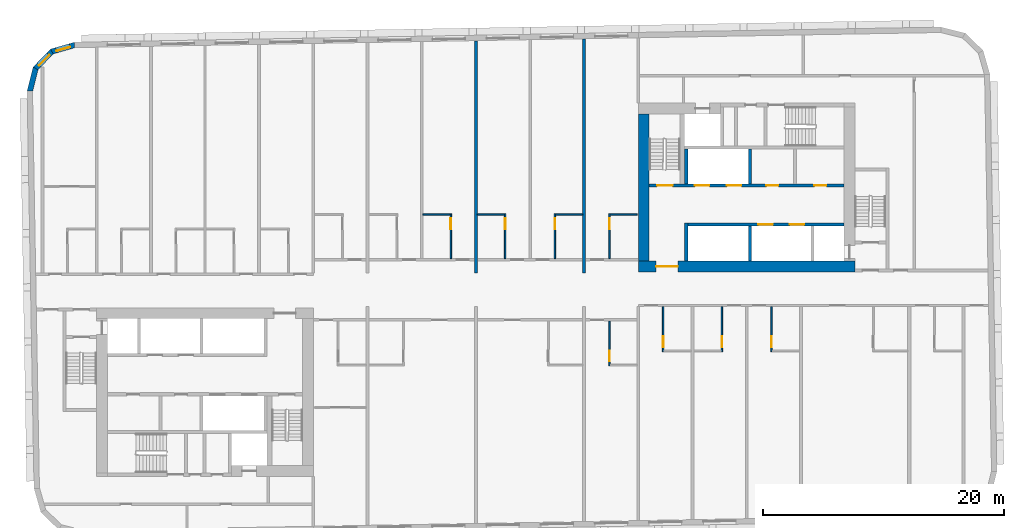
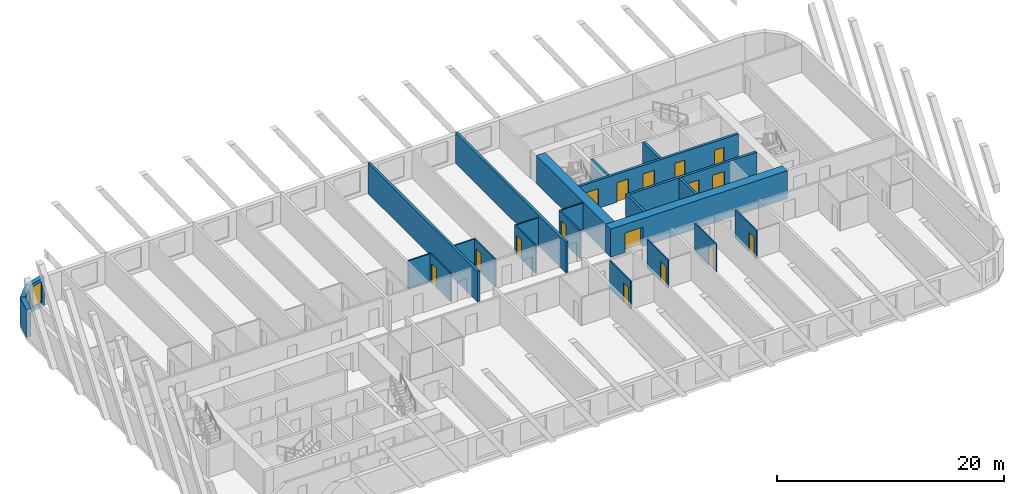
# One storey, part 5 of 13: 25 walls, 16 doors, 2 windows, 18 openings.
"""IFC4 building model written with IfcOpenShell, lengths in metres."""

from ifc_helpers import new_model, si_unit, direction, frame, frame_2d, origin, place, context, subcontext, project, spatial, polyline, rectangle, outline, extrude, material, layer, layer_set, type_object, element, fill, save


model = new_model("IFC4")

# Units and contexts
model_context = context("Model", 3, precision=1e-05, world=origin(), true_north=direction((0.0, 1.0)))
body_context = subcontext(model_context, "Body", "Model", "MODEL_VIEW")
ifc_project = project(units=[si_unit("LENGTHUNIT", "METRE"), si_unit("AREAUNIT", "SQUARE_METRE"), si_unit("VOLUMEUNIT", "CUBIC_METRE"), si_unit("PLANEANGLEUNIT", "RADIAN"), si_unit("MASSUNIT", "GRAM", prefix="KILO")], contexts=[model_context])

# Site, building, storey
site_placement = place(None, origin())
site = spatial("IfcSite", under=ifc_project, at=site_placement, CompositionType="ELEMENT")
building_placement = place(site_placement, origin())
building = spatial("IfcBuilding", under=site, at=building_placement, Name="Kajstack Hotel Tower", CompositionType="ELEMENT")
storey_placement = place(building_placement, frame((0.0, 0.0, 237.5)))
storey = spatial("IfcBuildingStorey", under=building, at=storey_placement, Name="L58", CompositionType="ELEMENT", Elevation=237.5)

# Wall, opening, door
ifc_material_1 = material(Name="Concrete C60/75", Category="concrete")
ifc_layer_1 = layer(ifc_material_1, 0.89990234375)
ifc_layer_set_1 = layer_set([ifc_layer_1], Name="Core wall 900")
wall_type_1 = type_object("IfcWallType", Name="Core wall 900", PredefinedType="SHEAR", material=ifc_layer_set_1)
wall_1_placement = place(storey_placement, frame((13.5, 1.949951171875, 0.0), z_axis=(0.0, 0.0, 1.0), x_axis=(1.0, 0.0, 0.0)))
wall_1 = element("IfcWall", 1, at=wall_1_placement, inside=storey, type_object=wall_type_1, Name="Core wall E RN", PredefinedType="SHEAR", context=body_context, shape_type="SweptSolid", body=[
    extrude(rectangle(XDim=18.0, YDim=0.89990234375, at=frame_2d((9.0, 0.0))), origin(), (0.0, 0.0, 1.0), 3.02001953125),
])
opening_1_placement = place(wall_1_placement, frame((1.47509765625, 0.0, 0.0)))
opening_1 = element("IfcOpeningElement", 2, at=opening_1_placement, cuts=wall_1, Name="Opening 58E07", PredefinedType="OPENING", context=body_context, shape_type="SweptSolid", body=[
    extrude(rectangle(XDim=1.800048828125, YDim=2.10009765625, at=frame_2d((0.89990234375, 1.050048828125))), frame((0.0, 0.4599609375, 0.0), z_axis=(0.0, -1.0, 0.0), x_axis=(1.0, 0.0, 0.0)), (0.0, 0.0, 1.0), 0.919921875),
])
ifc_material_2 = material(Name="Glazed steel frame, fire-rated glass", Category="steel")
door_type_1 = type_object("IfcDoorType", Name="Lobby double door 1800", OperationType="DOUBLE_DOOR_DOUBLE_SWING", PredefinedType="DOOR", material=ifc_material_2)
door_1_placement = place(opening_1_placement, origin())
door_1 = element("IfcDoor", 3, at=door_1_placement, inside=storey, type_object=door_type_1, Name="Door 58E07", OperationType="DOUBLE_DOOR_DOUBLE_SWING", OverallHeight=2.10009765625, OverallWidth=1.800048828125, PredefinedType="DOOR", context=body_context, shape_type="SweptSolid", body=[
    extrude(rectangle(XDim=1.800048828125, YDim=2.10009765625, at=frame_2d((0.89990234375, 1.050048828125))), frame((0.0, 0.02490234375, 0.0), z_axis=(0.0, -1.0, 0.0), x_axis=(1.0, 0.0, 0.0)), (0.0, 0.0, 1.0), 0.050048828125),
])
fill(opening_1, door_1)

# Wall
wall_2_placement = place(storey_placement, frame((13.949951171875, 2.39990234375, 0.0), z_axis=(0.0, 0.0, 1.0), x_axis=(0.0, 1.0, 0.0)))
element("IfcWall", 4, at=wall_2_placement, inside=storey, type_object=wall_type_1, Name="Core wall E RE", PredefinedType="SHEAR", context=body_context, shape_type="SweptSolid", body=[
    extrude(rectangle(XDim=12.2001953125, YDim=0.89990234375, at=frame_2d((6.10009765625, 0.0))), origin(), (0.0, 0.0, 1.0), 3.02001953125),
])

# Wall, opening, window
ifc_material_3 = material(Name="Terracotta-faced brick masonry", Category="masonry")
ifc_layer_2 = layer(ifc_material_3, 0.449951171875)
ifc_layer_set_2 = layer_set([ifc_layer_2], Name="EW-TERRA")
wall_type_2 = type_object("IfcWallType", Name="EW-TERRA", PredefinedType="SOLIDWALL", material=ifc_layer_set_2)
wall_3_placement = place(storey_placement, frame((-33.290283203125, 20.352294921875, 0.0), z_axis=(0.0, 0.0, 1.0), x_axis=(-0.961247584925, -0.275686562016, 0.0)))
wall_3 = element("IfcWall", 5, at=wall_3_placement, inside=storey, type_object=wall_type_2, Name="E-wall-L58-13-00", PredefinedType="SOLIDWALL", context=body_context, shape_type="SweptSolid", body=[
    extrude(outline(polyline([(0.0, -0.22509765625), (2.070556640625, -0.22509765625), (1.949951171875, 0.224853515625), (0.12060546875, 0.224853515625), (0.0, -0.22509765625)])), origin(), (0.0, 0.0, 1.0), 3.02001953125),
])
opening_2_placement = place(wall_3_placement, frame((0.435302734375, 0.0, 0.449951171875)))
opening_2 = element("IfcOpeningElement", 6, at=opening_2_placement, cuts=wall_3, Name="Opening W3", PredefinedType="OPENING", context=body_context, shape_type="SweptSolid", body=[
    extrude(rectangle(XDim=1.199951171875, YDim=2.25, at=frame_2d((0.60009765625, 1.125))), frame((0.0, 0.23486328125, 0.0), z_axis=(0.0, -1.0, 0.0), x_axis=(1.0, 0.0, 0.0)), (0.0, 0.0, 1.0), 0.469970703125),
])
ifc_material_4 = material(Name="Timber-aluminium window, triple glazed", Category="wood")
window_type = type_object("IfcWindowType", Name="WG3", PartitioningType="SINGLE_PANEL", PredefinedType="WINDOW", material=ifc_material_4)
window_1_placement = place(opening_2_placement, origin())
window_1 = element("IfcWindow", 7, at=window_1_placement, inside=storey, type_object=window_type, Name="Window W3 L58-13", OverallHeight=2.25, OverallWidth=1.199951171875, PartitioningType="SINGLE_PANEL", PredefinedType="WINDOW", context=body_context, shape_type="SweptSolid", body=[
    extrude(rectangle(XDim=1.199951171875, YDim=2.25, at=frame_2d((0.60009765625, 1.125))), frame((0.0, 0.090087890625, 0.0), z_axis=(0.0, -1.0, 0.0), x_axis=(1.0, 0.0, 0.0)), (0.0, 0.0, 1.0), 0.06005859375),
])
fill(opening_2, window_1)

wall_4_placement = place(storey_placement, frame((-35.1806640625, 19.841552734375, 0.0), z_axis=(0.0, 0.0, 1.0), x_axis=(-0.694678672846, -0.719320193998, 0.0)))
wall_4 = element("IfcWall", 8, at=wall_4_placement, inside=storey, type_object=wall_type_2, Name="E-wall-L58-14-00", PredefinedType="SOLIDWALL", context=body_context, shape_type="SweptSolid", body=[
    extrude(outline(polyline([(0.0, -0.22509765625), (2.07080078125, -0.22509765625), (1.9501953125, 0.224853515625), (0.12060546875, 0.224853515625), (0.0, -0.22509765625)])), origin(), (0.0, 0.0, 1.0), 3.02001953125),
])
opening_3_placement = place(wall_4_placement, frame((0.435302734375, 0.0, 0.449951171875)))
opening_3 = element("IfcOpeningElement", 9, at=opening_3_placement, cuts=wall_4, Name="Opening W3", PredefinedType="OPENING", context=body_context, shape_type="SweptSolid", body=[
    extrude(rectangle(XDim=1.199951171875, YDim=2.25, at=frame_2d((0.60009765625, 1.125))), frame((0.0, 0.23486328125, 0.0), z_axis=(0.0, -1.0, 0.0), x_axis=(1.0, 0.0, 0.0)), (0.0, 0.0, 1.0), 0.469970703125),
])
window_2_placement = place(opening_3_placement, origin())
window_2 = element("IfcWindow", 10, at=window_2_placement, inside=storey, type_object=window_type, Name="Window W3 L58-14", OverallHeight=2.25, OverallWidth=1.199951171875, PartitioningType="SINGLE_PANEL", PredefinedType="WINDOW", context=body_context, shape_type="SweptSolid", body=[
    extrude(rectangle(XDim=1.199951171875, YDim=2.25, at=frame_2d((0.60009765625, 1.125))), frame((0.0, 0.090087890625, 0.0), z_axis=(0.0, -1.0, 0.0), x_axis=(1.0, 0.0, 0.0)), (0.0, 0.0, 1.0), 0.06005859375),
])
fill(opening_3, window_2)

# Wall
wall_5_placement = place(storey_placement, frame((-36.562744140625, 18.453857421875, 0.0), z_axis=(0.0, 0.0, 1.0), x_axis=(-0.241869623482, -0.970308757683, 0.0)))
element("IfcWall", 11, at=wall_5_placement, inside=storey, type_object=wall_type_2, Name="E-wall-L58-15-00", PredefinedType="SOLIDWALL", context=body_context, shape_type="SweptSolid", body=[
    extrude(outline(polyline([(-0.000244140625, -0.224853515625), (2.0703125, -0.22509765625), (1.94970703125, 0.224853515625), (0.120361328125, 0.22509765625), (-0.000244140625, -0.224853515625)])), origin(), (0.0, 0.0, 1.0), 3.02001953125),
])

# Wall, opening, door
ifc_material_5 = material(Name="Gypsum board and tiled backer on steel studs", Category="steel")
ifc_layer_3 = layer(ifc_material_5, 0.125)
ifc_layer_set_3 = layer_set([ifc_layer_3], Name="En-suite wall 125")
wall_type_3 = type_object("IfcWallType", Name="En-suite wall 125", PredefinedType="PARTITIONING", material=ifc_layer_set_3)
wall_6_placement = place(storey_placement, frame((-2.0869140625, 2.60009765625, 0.0), z_axis=(0.0, 0.0, 1.0), x_axis=(0.0, 1.0, 0.0)))
wall_6 = element("IfcWall", 12, at=wall_6_placement, inside=storey, type_object=wall_type_3, Name="G-wall-L58-024", PredefinedType="PARTITIONING", context=body_context, shape_type="SweptSolid", body=[
    extrude(rectangle(XDim=3.724853515625, YDim=0.125, at=frame_2d((1.8623046875, 0.0))), origin(), (0.0, 0.0, 1.0), 3.02001953125),
])
opening_4_placement = place(wall_6_placement, frame((2.449951171875, 0.0, 0.0)))
opening_4 = element("IfcOpeningElement", 13, at=opening_4_placement, cuts=wall_6, Name="Opening 58017", PredefinedType="OPENING", context=body_context, shape_type="SweptSolid", body=[
    extrude(rectangle(XDim=0.89990234375, YDim=2.10009765625, at=frame_2d((0.449951171875, 1.050048828125))), frame((0.0, 0.072509765625, 0.0), z_axis=(0.0, -1.0, 0.0), x_axis=(1.0, 0.0, 0.0)), (0.0, 0.0, 1.0), 0.14501953125),
])
ifc_material_6 = material(Name="Painted timber door leaf", Category="wood")
door_type_2 = type_object("IfcDoorType", Name="Room door 900", OperationType="SINGLE_SWING_LEFT", PredefinedType="DOOR", material=ifc_material_6)
door_2_placement = place(opening_4_placement, origin())
door_2 = element("IfcDoor", 14, at=door_2_placement, inside=storey, type_object=door_type_2, Name="G-door-L58-17", OperationType="SINGLE_SWING_RIGHT", OverallHeight=2.10009765625, OverallWidth=0.89990234375, PredefinedType="DOOR", context=body_context, shape_type="SweptSolid", body=[
    extrude(rectangle(XDim=0.89990234375, YDim=2.10009765625, at=frame_2d((0.449951171875, 1.050048828125))), frame((0.0, 0.02490234375, 0.0), z_axis=(0.0, -1.0, 0.0), x_axis=(1.0, 0.0, 0.0)), (0.0, 0.0, 1.0), 0.050048828125),
])
fill(opening_4, door_2)

# Wall
wall_7_placement = place(storey_placement, frame((-4.39990234375, 6.262939453125, 0.0), z_axis=(0.0, 0.0, 1.0), x_axis=(1.0, 0.0, 0.0)))
element("IfcWall", 15, at=wall_7_placement, inside=storey, type_object=wall_type_3, Name="G-wall-L58-025", PredefinedType="PARTITIONING", context=body_context, shape_type="SweptSolid", body=[
    extrude(rectangle(XDim=2.25, YDim=0.125, at=frame_2d((1.125, 0.0))), origin(), (0.0, 0.0, 1.0), 3.02001953125),
])

# Wall, opening, door
wall_8_placement = place(storey_placement, frame((2.43798828125, 2.60009765625, 0.0), z_axis=(0.0, 0.0, 1.0), x_axis=(0.0, 1.0, 0.0)))
wall_8 = element("IfcWall", 16, at=wall_8_placement, inside=storey, type_object=wall_type_3, Name="G-wall-L58-027", PredefinedType="PARTITIONING", context=body_context, shape_type="SweptSolid", body=[
    extrude(rectangle(XDim=3.724853515625, YDim=0.125, at=frame_2d((1.8623046875, 0.0))), origin(), (0.0, 0.0, 1.0), 3.02001953125),
])
opening_5_placement = place(wall_8_placement, frame((2.449951171875, 0.0, 0.0)))
opening_5 = element("IfcOpeningElement", 17, at=opening_5_placement, cuts=wall_8, Name="Opening 58019", PredefinedType="OPENING", context=body_context, shape_type="SweptSolid", body=[
    extrude(rectangle(XDim=0.89990234375, YDim=2.10009765625, at=frame_2d((0.449951171875, 1.050048828125))), frame((0.0, 0.072509765625, 0.0), z_axis=(0.0, -1.0, 0.0), x_axis=(1.0, 0.0, 0.0)), (0.0, 0.0, 1.0), 0.14501953125),
])
door_3_placement = place(opening_5_placement, origin())
door_3 = element("IfcDoor", 18, at=door_3_placement, inside=storey, type_object=door_type_2, Name="G-door-L58-19", OperationType="SINGLE_SWING_RIGHT", OverallHeight=2.10009765625, OverallWidth=0.89990234375, PredefinedType="DOOR", context=body_context, shape_type="SweptSolid", body=[
    extrude(rectangle(XDim=0.89990234375, YDim=2.10009765625, at=frame_2d((0.449951171875, 1.050048828125))), frame((0.0, 0.02490234375, 0.0), z_axis=(0.0, -1.0, 0.0), x_axis=(1.0, 0.0, 0.0)), (0.0, 0.0, 1.0), 0.050048828125),
])
fill(opening_5, door_3)

# Wall
wall_9_placement = place(storey_placement, frame((0.125, 6.262939453125, 0.0), z_axis=(0.0, 0.0, 1.0), x_axis=(1.0, 0.0, 0.0)))
element("IfcWall", 19, at=wall_9_placement, inside=storey, type_object=wall_type_3, Name="G-wall-L58-028", PredefinedType="PARTITIONING", context=body_context, shape_type="SweptSolid", body=[
    extrude(rectangle(XDim=2.25, YDim=0.125, at=frame_2d((1.125, 0.0))), origin(), (0.0, 0.0, 1.0), 3.02001953125),
])

# Wall, opening, door
wall_10_placement = place(storey_placement, frame((6.56201171875, 2.60009765625, 0.0), z_axis=(0.0, 0.0, 1.0), x_axis=(0.0, 1.0, 0.0)))
wall_10 = element("IfcWall", 20, at=wall_10_placement, inside=storey, type_object=wall_type_3, Name="G-wall-L58-029", PredefinedType="PARTITIONING", context=body_context, shape_type="SweptSolid", body=[
    extrude(rectangle(XDim=3.724853515625, YDim=0.125, at=frame_2d((1.8623046875, 0.0))), origin(), (0.0, 0.0, 1.0), 3.02001953125),
])
opening_6_placement = place(wall_10_placement, frame((2.449951171875, 0.0, 0.0)))
opening_6 = element("IfcOpeningElement", 21, at=opening_6_placement, cuts=wall_10, Name="Opening 58021", PredefinedType="OPENING", context=body_context, shape_type="SweptSolid", body=[
    extrude(rectangle(XDim=0.89990234375, YDim=2.10009765625, at=frame_2d((0.449951171875, 1.050048828125))), frame((0.0, 0.072509765625, 0.0), z_axis=(0.0, -1.0, 0.0), x_axis=(1.0, 0.0, 0.0)), (0.0, 0.0, 1.0), 0.14501953125),
])
door_4_placement = place(opening_6_placement, origin())
door_4 = element("IfcDoor", 22, at=door_4_placement, inside=storey, type_object=door_type_2, Name="G-door-L58-21", OperationType="SINGLE_SWING_RIGHT", OverallHeight=2.10009765625, OverallWidth=0.89990234375, PredefinedType="DOOR", context=body_context, shape_type="SweptSolid", body=[
    extrude(rectangle(XDim=0.89990234375, YDim=2.10009765625, at=frame_2d((0.449951171875, 1.050048828125))), frame((0.0, 0.02490234375, 0.0), z_axis=(0.0, -1.0, 0.0), x_axis=(1.0, 0.0, 0.0)), (0.0, 0.0, 1.0), 0.050048828125),
])
fill(opening_6, door_4)

# Wall
wall_11_placement = place(storey_placement, frame((6.625, 6.262939453125, 0.0), z_axis=(0.0, 0.0, 1.0), x_axis=(1.0, 0.0, 0.0)))
element("IfcWall", 23, at=wall_11_placement, inside=storey, type_object=wall_type_3, Name="G-wall-L58-030", PredefinedType="PARTITIONING", context=body_context, shape_type="SweptSolid", body=[
    extrude(rectangle(XDim=2.25, YDim=0.125, at=frame_2d((1.125, 0.0))), origin(), (0.0, 0.0, 1.0), 3.02001953125),
])

# Wall, opening, door
wall_12_placement = place(storey_placement, frame((11.087890625, 2.60009765625, 0.0), z_axis=(0.0, 0.0, 1.0), x_axis=(0.0, 1.0, 0.0)))
wall_12 = element("IfcWall", 24, at=wall_12_placement, inside=storey, type_object=wall_type_3, Name="G-wall-L58-031", PredefinedType="PARTITIONING", context=body_context, shape_type="SweptSolid", body=[
    extrude(rectangle(XDim=3.724853515625, YDim=0.125, at=frame_2d((1.8623046875, 0.0))), origin(), (0.0, 0.0, 1.0), 3.02001953125),
])
opening_7_placement = place(wall_12_placement, frame((2.449951171875, 0.0, 0.0)))
opening_7 = element("IfcOpeningElement", 25, at=opening_7_placement, cuts=wall_12, Name="Opening 58023", PredefinedType="OPENING", context=body_context, shape_type="SweptSolid", body=[
    extrude(rectangle(XDim=0.89990234375, YDim=2.10009765625, at=frame_2d((0.449951171875, 1.050048828125))), frame((0.0, 0.072509765625, 0.0), z_axis=(0.0, -1.0, 0.0), x_axis=(1.0, 0.0, 0.0)), (0.0, 0.0, 1.0), 0.14501953125),
])
door_5_placement = place(opening_7_placement, origin())
door_5 = element("IfcDoor", 26, at=door_5_placement, inside=storey, type_object=door_type_2, Name="G-door-L58-23", OperationType="SINGLE_SWING_RIGHT", OverallHeight=2.10009765625, OverallWidth=0.89990234375, PredefinedType="DOOR", context=body_context, shape_type="SweptSolid", body=[
    extrude(rectangle(XDim=0.89990234375, YDim=2.10009765625, at=frame_2d((0.449951171875, 1.050048828125))), frame((0.0, 0.02490234375, 0.0), z_axis=(0.0, -1.0, 0.0), x_axis=(1.0, 0.0, 0.0)), (0.0, 0.0, 1.0), 0.050048828125),
])
fill(opening_7, door_5)

# Wall
wall_13_placement = place(storey_placement, frame((11.14990234375, 6.262939453125, 0.0), z_axis=(0.0, 0.0, 1.0), x_axis=(1.0, 0.0, 0.0)))
element("IfcWall", 27, at=wall_13_placement, inside=storey, type_object=wall_type_3, Name="G-wall-L58-032", PredefinedType="PARTITIONING", context=body_context, shape_type="SweptSolid", body=[
    extrude(rectangle(XDim=2.25, YDim=0.125, at=frame_2d((1.125, 0.0))), origin(), (0.0, 0.0, 1.0), 3.02001953125),
])

# Wall, opening, door
wall_14_placement = place(storey_placement, frame((11.087890625, -6.324951171875, 0.0), z_axis=(0.0, 0.0, 1.0), x_axis=(0.0, 1.0, 0.0)))
wall_14 = element("IfcWall", 28, at=wall_14_placement, inside=storey, type_object=wall_type_3, Name="G-wall-L58-043", PredefinedType="PARTITIONING", context=body_context, shape_type="SweptSolid", body=[
    extrude(rectangle(XDim=3.724853515625, YDim=0.125, at=frame_2d((1.8623046875, 0.0))), origin(), (0.0, 0.0, 1.0), 3.02001953125),
])
opening_8_placement = place(wall_14_placement, frame((0.375, 0.0, 0.0)))
opening_8 = element("IfcOpeningElement", 29, at=opening_8_placement, cuts=wall_14, Name="Opening 58032", PredefinedType="OPENING", context=body_context, shape_type="SweptSolid", body=[
    extrude(rectangle(XDim=0.89990234375, YDim=2.10009765625, at=frame_2d((0.449951171875, 1.050048828125))), frame((0.0, 0.072509765625, 0.0), z_axis=(0.0, -1.0, 0.0), x_axis=(1.0, 0.0, 0.0)), (0.0, 0.0, 1.0), 0.14501953125),
])
door_6_placement = place(opening_8_placement, origin())
door_6 = element("IfcDoor", 30, at=door_6_placement, inside=storey, type_object=door_type_2, Name="G-door-L58-32", OperationType="SINGLE_SWING_RIGHT", OverallHeight=2.10009765625, OverallWidth=0.89990234375, PredefinedType="DOOR", context=body_context, shape_type="SweptSolid", body=[
    extrude(rectangle(XDim=0.89990234375, YDim=2.10009765625, at=frame_2d((0.449951171875, 1.050048828125))), frame((0.0, 0.02490234375, 0.0), z_axis=(0.0, -1.0, 0.0), x_axis=(1.0, 0.0, 0.0)), (0.0, 0.0, 1.0), 0.050048828125),
])
fill(opening_8, door_6)

wall_15_placement = place(storey_placement, frame((15.56201171875, -5.125, 0.0), z_axis=(0.0, 0.0, 1.0), x_axis=(0.0, 1.0, 0.0)))
wall_15 = element("IfcWall", 31, at=wall_15_placement, inside=storey, type_object=wall_type_3, Name="G-wall-L58-045", PredefinedType="PARTITIONING", context=body_context, shape_type="SweptSolid", body=[
    extrude(rectangle(XDim=3.72509765625, YDim=0.125, at=frame_2d((1.862548828125, 0.0))), origin(), (0.0, 0.0, 1.0), 3.02001953125),
])
opening_9_placement = place(wall_15_placement, frame((0.375, 0.0, 0.0)))
opening_9 = element("IfcOpeningElement", 32, at=opening_9_placement, cuts=wall_15, Name="Opening 58034", PredefinedType="OPENING", context=body_context, shape_type="SweptSolid", body=[
    extrude(rectangle(XDim=0.89990234375, YDim=2.10009765625, at=frame_2d((0.449951171875, 1.050048828125))), frame((0.0, 0.072509765625, 0.0), z_axis=(0.0, -1.0, 0.0), x_axis=(1.0, 0.0, 0.0)), (0.0, 0.0, 1.0), 0.14501953125),
])
door_7_placement = place(opening_9_placement, origin())
door_7 = element("IfcDoor", 33, at=door_7_placement, inside=storey, type_object=door_type_2, Name="G-door-L58-34", OperationType="SINGLE_SWING_RIGHT", OverallHeight=2.10009765625, OverallWidth=0.89990234375, PredefinedType="DOOR", context=body_context, shape_type="SweptSolid", body=[
    extrude(rectangle(XDim=0.89990234375, YDim=2.10009765625, at=frame_2d((0.449951171875, 1.050048828125))), frame((0.0, 0.02490234375, 0.0), z_axis=(0.0, -1.0, 0.0), x_axis=(1.0, 0.0, 0.0)), (0.0, 0.0, 1.0), 0.050048828125),
])
fill(opening_9, door_7)

wall_16_placement = place(storey_placement, frame((20.43798828125, -5.125, 0.0), z_axis=(0.0, 0.0, 1.0), x_axis=(0.0, 1.0, 0.0)))
wall_16 = element("IfcWall", 34, at=wall_16_placement, inside=storey, type_object=wall_type_3, Name="G-wall-L58-048", PredefinedType="PARTITIONING", context=body_context, shape_type="SweptSolid", body=[
    extrude(rectangle(XDim=3.72509765625, YDim=0.125, at=frame_2d((1.862548828125, 0.0))), origin(), (0.0, 0.0, 1.0), 3.02001953125),
])
opening_10_placement = place(wall_16_placement, frame((0.375, 0.0, 0.0)))
opening_10 = element("IfcOpeningElement", 35, at=opening_10_placement, cuts=wall_16, Name="Opening 58036", PredefinedType="OPENING", context=body_context, shape_type="SweptSolid", body=[
    extrude(rectangle(XDim=0.89990234375, YDim=2.10009765625, at=frame_2d((0.449951171875, 1.050048828125))), frame((0.0, 0.072509765625, 0.0), z_axis=(0.0, -1.0, 0.0), x_axis=(1.0, 0.0, 0.0)), (0.0, 0.0, 1.0), 0.14501953125),
])
door_8_placement = place(opening_10_placement, origin())
door_8 = element("IfcDoor", 36, at=door_8_placement, inside=storey, type_object=door_type_2, Name="G-door-L58-36", OperationType="SINGLE_SWING_LEFT", OverallHeight=2.10009765625, OverallWidth=0.89990234375, PredefinedType="DOOR", context=body_context, shape_type="SweptSolid", body=[
    extrude(rectangle(XDim=0.89990234375, YDim=2.10009765625, at=frame_2d((0.449951171875, 1.050048828125))), frame((0.0, 0.02490234375, 0.0), z_axis=(0.0, -1.0, 0.0), x_axis=(1.0, 0.0, 0.0)), (0.0, 0.0, 1.0), 0.050048828125),
])
fill(opening_10, door_8)

wall_17_placement = place(storey_placement, frame((24.56201171875, -5.125, 0.0), z_axis=(0.0, 0.0, 1.0), x_axis=(0.0, 1.0, 0.0)))
wall_17 = element("IfcWall", 37, at=wall_17_placement, inside=storey, type_object=wall_type_3, Name="G-wall-L58-050", PredefinedType="PARTITIONING", context=body_context, shape_type="SweptSolid", body=[
    extrude(rectangle(XDim=3.72509765625, YDim=0.125, at=frame_2d((1.862548828125, 0.0))), origin(), (0.0, 0.0, 1.0), 3.02001953125),
])
opening_11_placement = place(wall_17_placement, frame((0.375, 0.0, 0.0)))
opening_11 = element("IfcOpeningElement", 38, at=opening_11_placement, cuts=wall_17, Name="Opening 58038", PredefinedType="OPENING", context=body_context, shape_type="SweptSolid", body=[
    extrude(rectangle(XDim=0.89990234375, YDim=2.10009765625, at=frame_2d((0.449951171875, 1.050048828125))), frame((0.0, 0.072509765625, 0.0), z_axis=(0.0, -1.0, 0.0), x_axis=(1.0, 0.0, 0.0)), (0.0, 0.0, 1.0), 0.14501953125),
])
door_9_placement = place(opening_11_placement, origin())
door_9 = element("IfcDoor", 39, at=door_9_placement, inside=storey, type_object=door_type_2, Name="G-door-L58-38", OperationType="SINGLE_SWING_LEFT", OverallHeight=2.10009765625, OverallWidth=0.89990234375, PredefinedType="DOOR", context=body_context, shape_type="SweptSolid", body=[
    extrude(rectangle(XDim=0.89990234375, YDim=2.10009765625, at=frame_2d((0.449951171875, 1.050048828125))), frame((0.0, 0.02490234375, 0.0), z_axis=(0.0, -1.0, 0.0), x_axis=(1.0, 0.0, 0.0)), (0.0, 0.0, 1.0), 0.050048828125),
])
fill(opening_11, door_9)

# Walls
ifc_material_7 = material(Name="Concrete C50/60", Category="concrete")
ifc_layer_4 = layer(ifc_material_7, 0.300048828125)
ifc_layer_set_4 = layer_set([ifc_layer_4], Name="Hoistway divider wall 300")
wall_type_4 = type_object("IfcWallType", Name="Hoistway divider wall 300", PredefinedType="SHEAR", material=ifc_layer_set_4)
wall_18_placement = place(storey_placement, frame((22.77490234375, 2.39990234375, 0.0), z_axis=(0.0, 0.0, 1.0), x_axis=(0.0, 1.0, 0.0)))
element("IfcWall", 40, at=wall_18_placement, inside=storey, type_object=wall_type_4, Name="Core wall E AP2", PredefinedType="SHEAR", context=body_context, shape_type="SweptSolid", body=[
    extrude(rectangle(XDim=2.900146484375, YDim=0.25, at=frame_2d((1.4501953125, 0.0))), origin(), (0.0, 0.0, 1.0), 3.02001953125),
])
wall_19_placement = place(storey_placement, frame((22.77490234375, 8.800048828125, 0.0), z_axis=(0.0, 0.0, 1.0), x_axis=(0.0, 1.0, 0.0)))
element("IfcWall", 41, at=wall_19_placement, inside=storey, type_object=wall_type_4, Name="Core wall E BP2", PredefinedType="SHEAR", context=body_context, shape_type="SweptSolid", body=[
    extrude(rectangle(XDim=2.89990234375, YDim=0.25, at=frame_2d((1.449951171875, 0.0))), origin(), (0.0, 0.0, 1.0), 3.02001953125),
])
ifc_material_8 = material(Name="Concrete C45/55", Category="concrete")
ifc_layer_5 = layer(ifc_material_8, 0.25)
ifc_layer_set_5 = layer_set([ifc_layer_5], Name="RC cross wall 250 C45/55")
wall_type_5 = type_object("IfcWallType", Name="RC cross wall 250 C45/55", PredefinedType="SHEAR", material=ifc_layer_set_5)
wall_20_placement = place(storey_placement, frame((0.0, 1.39990234375, 0.0), z_axis=(0.0, 0.0, 1.0), x_axis=(0.0, 1.0, 0.0)))
element("IfcWall", 42, at=wall_20_placement, inside=storey, type_object=wall_type_5, Name="S-wall-L58-07", PredefinedType="SHEAR", context=body_context, shape_type="SweptSolid", body=[
    extrude(rectangle(XDim=19.28857421875, YDim=0.25, at=frame_2d((9.644287109375, 0.0))), origin(), (0.0, 0.0, 1.0), 3.300048828125),
])
wall_21_placement = place(storey_placement, frame((9.0, 1.39990234375, 0.0), z_axis=(0.0, 0.0, 1.0), x_axis=(0.0, 1.0, 0.0)))
element("IfcWall", 43, at=wall_21_placement, inside=storey, type_object=wall_type_5, Name="S-wall-L58-09", PredefinedType="SHEAR", context=body_context, shape_type="SweptSolid", body=[
    extrude(rectangle(XDim=19.44580078125, YDim=0.25, at=frame_2d((9.722900390625, 0.0))), origin(), (0.0, 0.0, 1.0), 3.300048828125),
])

# Wall, openings, doors
ifc_layer_6 = layer(ifc_material_7, 0.25)
ifc_layer_set_6 = layer_set([ifc_layer_6], Name="Shaft wall 250")
wall_type_6 = type_object("IfcWallType", Name="Shaft wall 250", PredefinedType="SHEAR", material=ifc_layer_set_6)
wall_22_placement = place(storey_placement, frame((17.60009765625, 5.425048828125, 0.0), z_axis=(0.0, 0.0, 1.0), x_axis=(1.0, 0.0, 0.0)))
wall_22 = element("IfcWall", 44, at=wall_22_placement, inside=storey, type_object=wall_type_6, Name="Core wall E FA", PredefinedType="SHEAR", context=body_context, shape_type="SweptSolid", body=[
    extrude(rectangle(XDim=13.0, YDim=0.25, at=frame_2d((6.5, 0.0))), origin(), (0.0, 0.0, 1.0), 3.02001953125),
])
opening_12_placement = place(wall_22_placement, frame((8.47509765625, 0.0, 0.0)))
opening_12 = element("IfcOpeningElement", 45, at=opening_12_placement, cuts=wall_22, Name="Opening LD-MR7", PredefinedType="OPENING", context=body_context, shape_type="SweptSolid", body=[
    extrude(rectangle(XDim=1.199951171875, YDim=2.10009765625, at=frame_2d((0.60009765625, 1.050048828125))), frame((0.0, 0.135009765625, 0.0), z_axis=(0.0, -1.0, 0.0), x_axis=(1.0, 0.0, 0.0)), (0.0, 0.0, 1.0), 0.27001953125),
])
opening_13_placement = place(wall_22_placement, frame((5.875, 0.0, 0.0)))
opening_13 = element("IfcOpeningElement", 46, at=opening_13_placement, cuts=wall_22, Name="Opening LD-MR8", PredefinedType="OPENING", context=body_context, shape_type="SweptSolid", body=[
    extrude(rectangle(XDim=1.199951171875, YDim=2.10009765625, at=frame_2d((0.60009765625, 1.050048828125))), frame((0.0, 0.135009765625, 0.0), z_axis=(0.0, -1.0, 0.0), x_axis=(1.0, 0.0, 0.0)), (0.0, 0.0, 1.0), 0.27001953125),
])
ifc_material_9 = material(Name="Stainless steel", Category="steel")
door_type_3 = type_object("IfcDoorType", Name="Lift landing door 1200", OperationType="SLIDING_TO_LEFT", PredefinedType="DOOR", material=ifc_material_9)
door_10_placement = place(opening_12_placement, origin())
door_10 = element("IfcDoor", 47, at=door_10_placement, inside=storey, type_object=door_type_3, Name="Landing door MR7", OperationType="SLIDING_TO_LEFT", OverallHeight=2.10009765625, OverallWidth=1.199951171875, PredefinedType="DOOR", context=body_context, shape_type="SweptSolid", body=[
    extrude(rectangle(XDim=1.199951171875, YDim=2.10009765625, at=frame_2d((0.60009765625, 1.050048828125))), frame((0.0, 0.02490234375, 0.0), z_axis=(0.0, -1.0, 0.0), x_axis=(1.0, 0.0, 0.0)), (0.0, 0.0, 1.0), 0.050048828125),
])
fill(opening_12, door_10)
door_11_placement = place(opening_13_placement, origin())
door_11 = element("IfcDoor", 48, at=door_11_placement, inside=storey, type_object=door_type_3, Name="Landing door MR8", OperationType="SLIDING_TO_RIGHT", OverallHeight=2.10009765625, OverallWidth=1.199951171875, PredefinedType="DOOR", context=body_context, shape_type="SweptSolid", body=[
    extrude(rectangle(XDim=1.199951171875, YDim=2.10009765625, at=frame_2d((0.60009765625, 1.050048828125))), frame((0.0, 0.02490234375, 0.0), z_axis=(0.0, -1.0, 0.0), x_axis=(1.0, 0.0, 0.0)), (0.0, 0.0, 1.0), 0.050048828125),
])
fill(opening_13, door_11)

# Wall
wall_23_placement = place(storey_placement, frame((17.47509765625, 2.39990234375, 0.0), z_axis=(0.0, 0.0, 1.0), x_axis=(0.0, 1.0, 0.0)))
element("IfcWall", 49, at=wall_23_placement, inside=storey, type_object=wall_type_6, Name="Core wall E AE", PredefinedType="SHEAR", context=body_context, shape_type="SweptSolid", body=[
    extrude(rectangle(XDim=3.150146484375, YDim=0.25, at=frame_2d((1.5751953125, 0.0))), origin(), (0.0, 0.0, 1.0), 3.02001953125),
])

# Wall, openings, doors
wall_24_placement = place(storey_placement, frame((14.39990234375, 8.675048828125, 0.0), z_axis=(0.0, 0.0, 1.0), x_axis=(1.0, 0.0, 0.0)))
wall_24 = element("IfcWall", 50, at=wall_24_placement, inside=storey, type_object=wall_type_6, Name="Core wall E FB", PredefinedType="SHEAR", context=body_context, shape_type="SweptSolid", body=[
    extrude(rectangle(XDim=16.2001953125, YDim=0.25, at=frame_2d((8.10009765625, 0.0))), origin(), (0.0, 0.0, 1.0), 3.02001953125),
])
opening_14_placement = place(wall_24_placement, frame((6.449951171875, 0.0, 0.0)))
opening_14 = element("IfcOpeningElement", 51, at=opening_14_placement, cuts=wall_24, Name="Opening LD-MR5", PredefinedType="OPENING", context=body_context, shape_type="SweptSolid", body=[
    extrude(rectangle(XDim=1.199951171875, YDim=2.10009765625, at=frame_2d((0.60009765625, 1.050048828125))), frame((0.0, 0.135009765625, 0.0), z_axis=(0.0, -1.0, 0.0), x_axis=(1.0, 0.0, 0.0)), (0.0, 0.0, 1.0), 0.27001953125),
])
opening_15_placement = place(wall_24_placement, frame((3.800048828125, 0.0, 0.0)))
opening_15 = element("IfcOpeningElement", 52, at=opening_15_placement, cuts=wall_24, Name="Opening LD-MR6", PredefinedType="OPENING", context=body_context, shape_type="SweptSolid", body=[
    extrude(rectangle(XDim=1.199951171875, YDim=2.10009765625, at=frame_2d((0.60009765625, 1.050048828125))), frame((0.0, 0.135009765625, 0.0), z_axis=(0.0, -1.0, 0.0), x_axis=(1.0, 0.0, 0.0)), (0.0, 0.0, 1.0), 0.27001953125),
])
opening_16_placement = place(wall_24_placement, frame((0.64990234375, 0.0, 0.0)))
opening_16 = element("IfcOpeningElement", 53, at=opening_16_placement, cuts=wall_24, Name="Opening 58E11", PredefinedType="OPENING", context=body_context, shape_type="SweptSolid", body=[
    extrude(rectangle(XDim=1.300048828125, YDim=2.10009765625, at=frame_2d((0.64990234375, 1.050048828125))), frame((0.0, 0.135009765625, 0.0), z_axis=(0.0, -1.0, 0.0), x_axis=(1.0, 0.0, 0.0)), (0.0, 0.0, 1.0), 0.27001953125),
])
opening_17_placement = place(wall_24_placement, frame((13.71240234375, 0.0, 0.0)))
opening_17 = element("IfcOpeningElement", 54, at=opening_17_placement, cuts=wall_24, Name="Opening 58E14", PredefinedType="OPENING", context=body_context, shape_type="SweptSolid", body=[
    extrude(rectangle(XDim=1.0, YDim=2.10009765625, at=frame_2d((0.5, 1.050048828125))), frame((0.0, 0.135009765625, 0.0), z_axis=(0.0, -1.0, 0.0), x_axis=(1.0, 0.0, 0.0)), (0.0, 0.0, 1.0), 0.27001953125),
])
opening_18_placement = place(wall_24_placement, frame((9.737548828125, 0.0, 0.0)))
opening_18 = element("IfcOpeningElement", 55, at=opening_18_placement, cuts=wall_24, Name="Opening 58E15", PredefinedType="OPENING", context=body_context, shape_type="SweptSolid", body=[
    extrude(rectangle(XDim=1.0, YDim=2.10009765625, at=frame_2d((0.5, 1.050048828125))), frame((0.0, 0.135009765625, 0.0), z_axis=(0.0, -1.0, 0.0), x_axis=(1.0, 0.0, 0.0)), (0.0, 0.0, 1.0), 0.27001953125),
])
door_12_placement = place(opening_14_placement, origin())
door_12 = element("IfcDoor", 56, at=door_12_placement, inside=storey, type_object=door_type_3, Name="Landing door MR5", OperationType="SLIDING_TO_LEFT", OverallHeight=2.10009765625, OverallWidth=1.199951171875, PredefinedType="DOOR", context=body_context, shape_type="SweptSolid", body=[
    extrude(rectangle(XDim=1.199951171875, YDim=2.10009765625, at=frame_2d((0.60009765625, 1.050048828125))), frame((0.0, 0.02490234375, 0.0), z_axis=(0.0, -1.0, 0.0), x_axis=(1.0, 0.0, 0.0)), (0.0, 0.0, 1.0), 0.050048828125),
])
fill(opening_14, door_12)
door_13_placement = place(opening_15_placement, origin())
door_13 = element("IfcDoor", 57, at=door_13_placement, inside=storey, type_object=door_type_3, Name="Landing door MR6", OperationType="SLIDING_TO_RIGHT", OverallHeight=2.10009765625, OverallWidth=1.199951171875, PredefinedType="DOOR", context=body_context, shape_type="SweptSolid", body=[
    extrude(rectangle(XDim=1.199951171875, YDim=2.10009765625, at=frame_2d((0.60009765625, 1.050048828125))), frame((0.0, 0.02490234375, 0.0), z_axis=(0.0, -1.0, 0.0), x_axis=(1.0, 0.0, 0.0)), (0.0, 0.0, 1.0), 0.050048828125),
])
fill(opening_15, door_13)
ifc_material_10 = material(Name="Timber leaf, fire-rated", Category="wood")
door_type_4 = type_object("IfcDoorType", Name="Service room door 1000", OperationType="SINGLE_SWING_LEFT", PredefinedType="DOOR", material=ifc_material_10)
door_14_placement = place(opening_17_placement, origin())
door_14 = element("IfcDoor", 58, at=door_14_placement, inside=storey, type_object=door_type_4, Name="Door 58E14", OperationType="SINGLE_SWING_LEFT", OverallHeight=2.10009765625, OverallWidth=1.0, PredefinedType="DOOR", context=body_context, shape_type="SweptSolid", body=[
    extrude(rectangle(XDim=1.0, YDim=2.10009765625, at=frame_2d((0.5, 1.050048828125))), frame((0.0, 0.02490234375, 0.0), z_axis=(0.0, -1.0, 0.0), x_axis=(1.0, 0.0, 0.0)), (0.0, 0.0, 1.0), 0.050048828125),
])
fill(opening_17, door_14)
door_15_placement = place(opening_18_placement, origin())
door_15 = element("IfcDoor", 59, at=door_15_placement, inside=storey, type_object=door_type_4, Name="Door 58E15", OperationType="SINGLE_SWING_LEFT", OverallHeight=2.10009765625, OverallWidth=1.0, PredefinedType="DOOR", context=body_context, shape_type="SweptSolid", body=[
    extrude(rectangle(XDim=1.0, YDim=2.10009765625, at=frame_2d((0.5, 1.050048828125))), frame((0.0, 0.02490234375, 0.0), z_axis=(0.0, -1.0, 0.0), x_axis=(1.0, 0.0, 0.0)), (0.0, 0.0, 1.0), 0.050048828125),
])
fill(opening_18, door_15)
ifc_material_11 = material(Name="Steel leaf, fire-rated", Category="steel")
door_type_5 = type_object("IfcDoorType", Name="Stair door 1300", OperationType="SINGLE_SWING_LEFT", PredefinedType="DOOR", material=ifc_material_11)
door_16_placement = place(opening_16_placement, origin())
door_16 = element("IfcDoor", 60, at=door_16_placement, inside=storey, type_object=door_type_5, Name="Door 58E11", OperationType="SINGLE_SWING_LEFT", OverallHeight=2.10009765625, OverallWidth=1.300048828125, PredefinedType="DOOR", context=body_context, shape_type="SweptSolid", body=[
    extrude(rectangle(XDim=1.300048828125, YDim=2.10009765625, at=frame_2d((0.64990234375, 1.050048828125))), frame((0.0, 0.02490234375, 0.0), z_axis=(0.0, -1.0, 0.0), x_axis=(1.0, 0.0, 0.0)), (0.0, 0.0, 1.0), 0.050048828125),
])
fill(opening_16, door_16)

# Wall
wall_25_placement = place(storey_placement, frame((17.47509765625, 8.800048828125, 0.0), z_axis=(0.0, 0.0, 1.0), x_axis=(0.0, 1.0, 0.0)))
element("IfcWall", 61, at=wall_25_placement, inside=storey, type_object=wall_type_6, Name="Core wall E BE", PredefinedType="SHEAR", context=body_context, shape_type="SweptSolid", body=[
    extrude(rectangle(XDim=2.89990234375, YDim=0.25, at=frame_2d((1.449951171875, 0.0))), origin(), (0.0, 0.0, 1.0), 3.02001953125),
])

save(model, "model.ifc")
